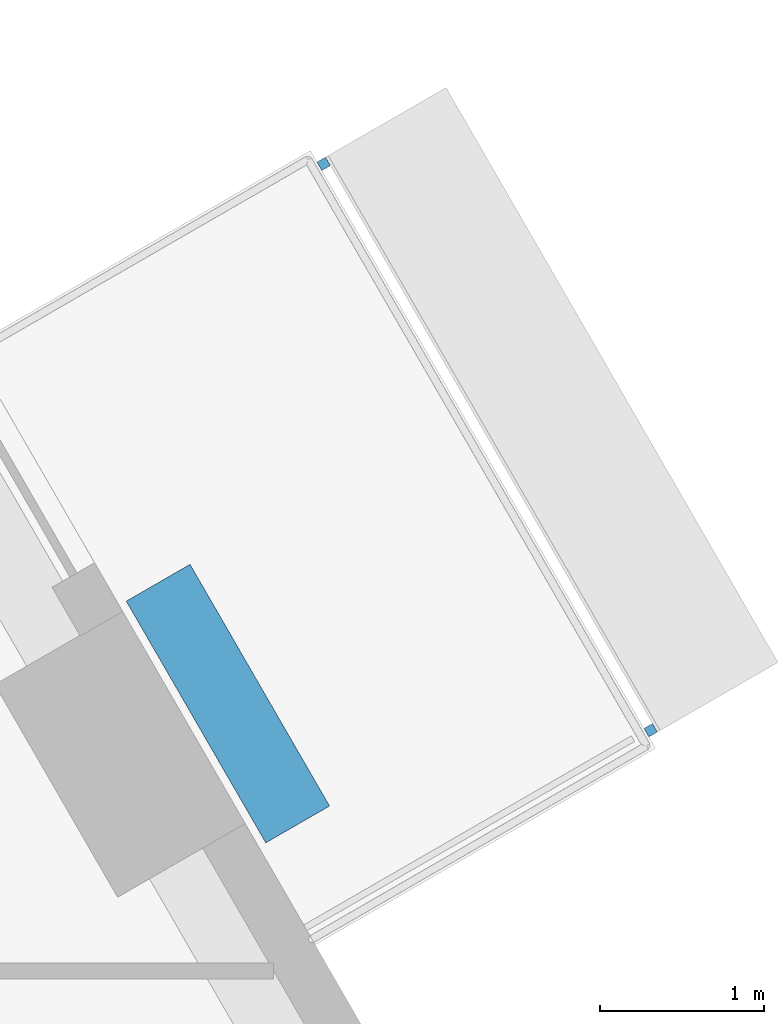
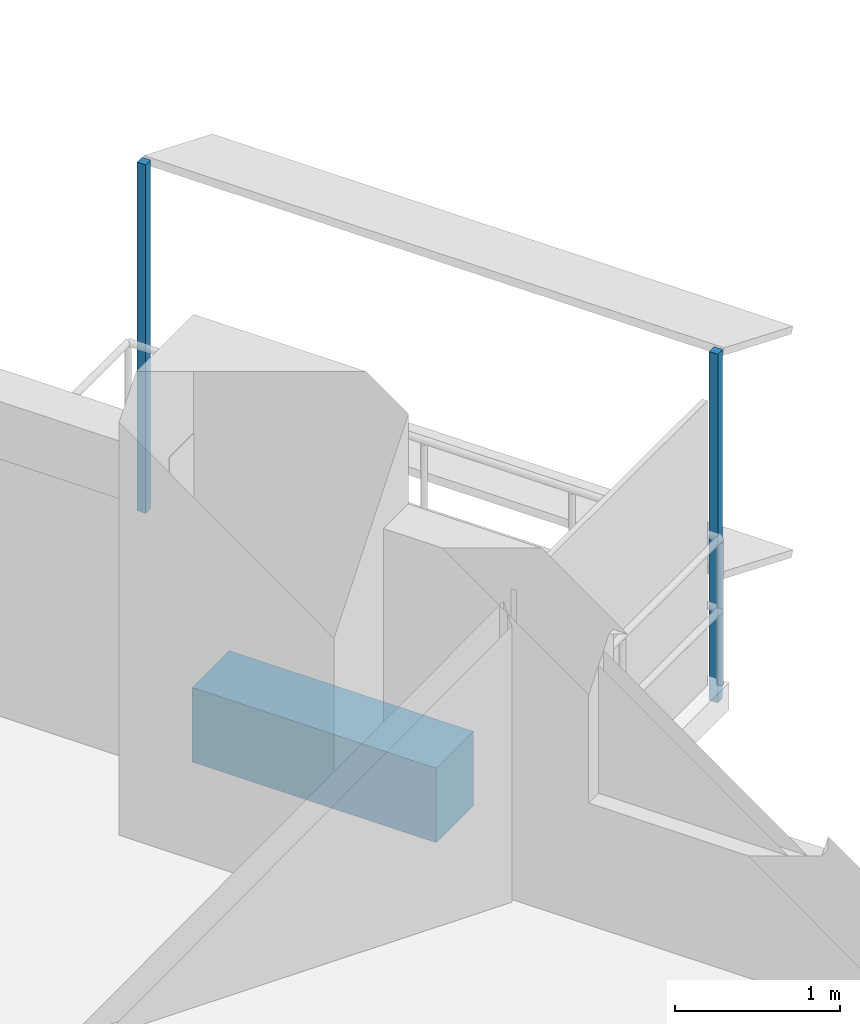
# One storey, part 10 of 13: 3 discrete accessories.
"""IFC4 building model written with IfcOpenShell, lengths in metres."""

from ifc_helpers import new_model, si_unit, direction, frame, origin, origin_2d, place, context, subcontext, project, spatial, rectangle, extrude, material, type_object, element, save


model = new_model("IFC4")

# Units and contexts
model_context = context("Model", 3, precision=1e-05, world=origin(), true_north=direction((0.0, 1.0)))
body_context = subcontext(model_context, "Body", "Model", "MODEL_VIEW")
ifc_project = project(units=[si_unit("LENGTHUNIT", "METRE"), si_unit("AREAUNIT", "SQUARE_METRE"), si_unit("VOLUMEUNIT", "CUBIC_METRE"), si_unit("PLANEANGLEUNIT", "RADIAN"), si_unit("MASSUNIT", "GRAM", prefix="KILO")], contexts=[model_context])

# Site, building, storey
site_placement = place(None, origin())
site = spatial("IfcSite", under=ifc_project, at=site_placement, CompositionType="ELEMENT")
building_placement = place(site_placement, origin())
building = spatial("IfcBuilding", under=site, at=building_placement, Name="Nakaniwa Court", CompositionType="ELEMENT")
storey_placement = place(building_placement, frame((0.0, 0.0, 61.199951171875)))
storey = spatial("IfcBuildingStorey", under=building, at=storey_placement, Name="L16", CompositionType="ELEMENT", Elevation=61.199951171875)

# Discrete accessories
ifc_material_1 = material(Name="Black powder-coated steel bracket S275", Category="steel")
discrete_accessory_type_1 = type_object("IfcDiscreteAccessoryType", Name="Black metal louvre bracket", PredefinedType="BRACKET", material=ifc_material_1)
for number, where, z_axis, x_axis, name in (
    (1, (103.550048828125, 92.0703125, -0.229736328125), (0.0, 0.0, 1.0), (-0.500004534492, 0.866022785779, 0.0), "L16 louvre bracket 01 1"),
    (2, (101.552490234375, 95.52978515625, -0.229736328125), (0.0, 0.0, 1.0), (-0.500004534492, 0.866022785779, 0.0), "L16 louvre bracket 01 2"),
):
    element("IfcDiscreteAccessory", number, at=place(storey_placement, frame(where, z_axis=z_axis, x_axis=x_axis)), inside=storey, type_object=discrete_accessory_type_1, Name=name, PredefinedType="BRACKET", context=body_context, shape_type="SweptSolid", body=[
        extrude(rectangle(XDim=0.06005859375, YDim=0.06005859375, at=origin_2d()), origin(), (0.0, 0.0, 1.0), 2.5751953125),
    ])
ifc_material_2 = material(Name="Precast concrete C40/50 planter with planted soil", Category="concrete")
discrete_accessory_type_2 = type_object("IfcDiscreteAccessoryType", Name="Planter box charcoal concrete", PredefinedType="USERDEFINED", material=ifc_material_2)
discrete_accessory_placement = place(storey_placement, frame((100.967529296875, 92.233154296875, -0.0498046875), z_axis=(0.0, 0.0, 1.0), x_axis=(-0.500004534492, 0.866022785779, 0.0)))
element("IfcDiscreteAccessory", 3, at=discrete_accessory_placement, inside=storey, type_object=discrete_accessory_type_2, Name="L16 balcony PLANTER 01", ObjectType="PLANTER", PredefinedType="USERDEFINED", context=body_context, shape_type="SweptSolid", body=[
    extrude(rectangle(XDim=1.70458984375, YDim=0.449951171875, at=origin_2d()), origin(), (0.0, 0.0, 1.0), 0.550048828125),
])

save(model, "model.ifc")
